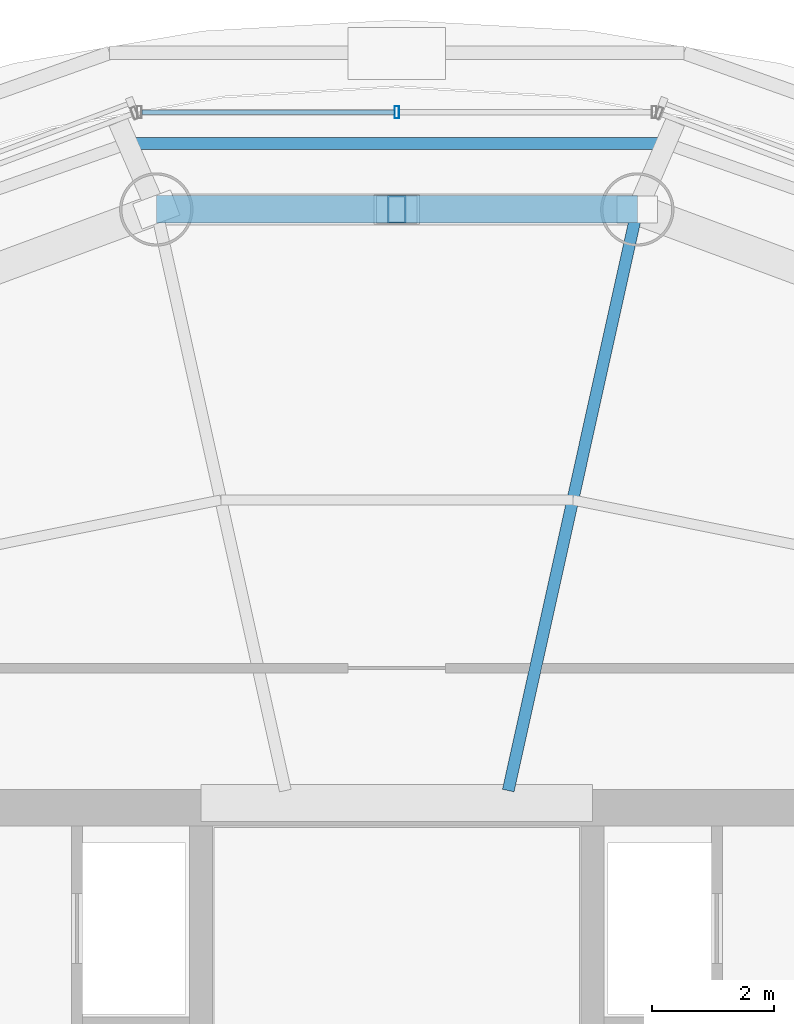
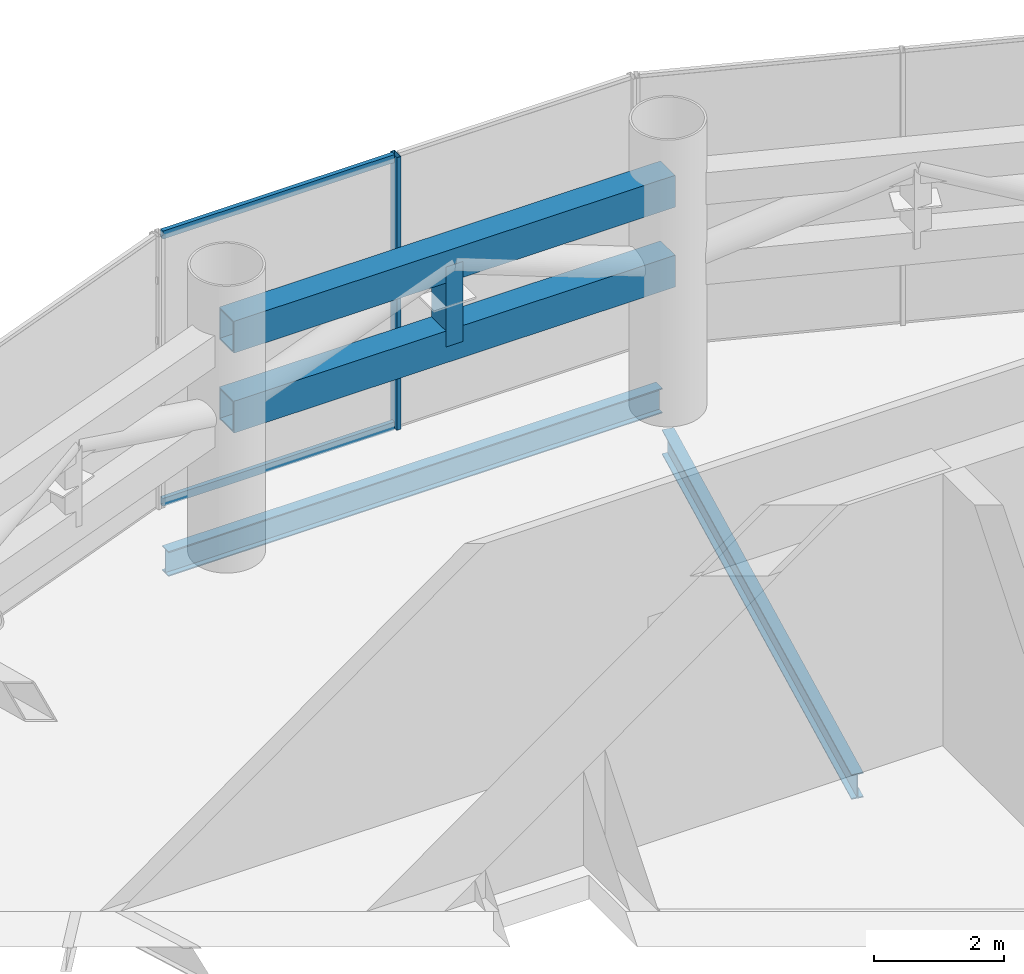
# One storey, part 16 of 25: 6 members, 2 beams, 1 element without a shape of its own.
"""IFC4 building model written with IfcOpenShell, lengths in metres."""

from ifc_helpers import new_model, si_unit, direction, frame, origin, origin_2d, place, context, subcontext, project, spatial, hollow_rectangle, i_section, extrude, source, transform, mapped, material, material_profile, profile_set, type_object, element, aggregate, save


model = new_model("IFC4")

# Units and contexts
model_context = context("Model", 3, precision=1e-05, world=origin(), true_north=direction((-0.2419218956, 0.970295726276)))
body_context = subcontext(model_context, "Body", "Model", "MODEL_VIEW")
ifc_project = project(units=[si_unit("LENGTHUNIT", "METRE"), si_unit("AREAUNIT", "SQUARE_METRE"), si_unit("VOLUMEUNIT", "CUBIC_METRE"), si_unit("PLANEANGLEUNIT", "RADIAN"), si_unit("MASSUNIT", "GRAM", prefix="KILO")], contexts=[model_context])

# Site, building, storey
site_placement = place(None, origin())
site = spatial("IfcSite", under=ifc_project, at=site_placement, CompositionType="ELEMENT")
building_placement = place(site_placement, origin())
building = spatial("IfcBuilding", under=site, at=building_placement, Name="Cobrevalo Terracotta Tower", CompositionType="ELEMENT")
storey_placement = place(building_placement, frame((0.0, 0.0, 185.800048828125)))
storey = spatial("IfcBuildingStorey", under=building, at=storey_placement, Name="L49", CompositionType="ELEMENT", Elevation=185.800048828125)

# Beams
ifc_material_1 = material(Name="Steel S355", Category="steel")
ifc_material_profile_1 = material_profile(ifc_material_1, i_section(OverallWidth=0.194091796875, OverallDepth=0.468994140625, WebThickness=0.011474609375, FlangeThickness=0.0205078125, at=origin_2d()), Name="W 460x106")
ifc_profile_set_1 = profile_set([ifc_material_profile_1], Name="Steel S355")
beam_type_1 = type_object("IfcBeamType", Name="Structural Beam W 460x106 (Steel S355)", PredefinedType="BEAM", material=ifc_profile_set_1)
beam_1_placement = place(storey_placement, frame((41.93115234375, 44.503173828125, -0.6845703125), z_axis=(-0.216773700992, -0.976221881827, 0.0), x_axis=(0.976221881827, -0.216773700992, 0.0)))
element("IfcBeam", 1, at=beam_1_placement, inside=storey, type_object=beam_type_1, Name="L49 radial floor girder 04", PredefinedType="BEAM", context=body_context, shape_type="SweptSolid", body=[
    extrude(i_section(OverallWidth=0.194091796875, OverallDepth=0.468994140625, WebThickness=0.011474609375, FlangeThickness=0.0205078125, at=origin_2d()), origin(), (0.0, 0.0, 1.0), 9.729736328125),
])
ifc_material_profile_2 = material_profile(ifc_material_1, i_section(OverallWidth=0.194091796875, OverallDepth=0.468994140625, WebThickness=0.011474609375, FlangeThickness=0.0205078125, at=origin_2d()), Name="W 460x106")
ifc_profile_set_2 = profile_set([ifc_material_profile_2], Name="Steel S355")
beam_type_2 = type_object("IfcBeamType", Name="Structural Spandrel W 460x106 (Steel S355)", PredefinedType="SPANDREL", material=ifc_profile_set_2)
beam_2_placement = place(storey_placement, frame((42.399169921875, 45.58203125, -0.6845703125), z_axis=(-1.0, 0.0, 0.0), x_axis=(0.0, -1.0, 0.0)))
element("IfcBeam", 2, at=beam_2_placement, inside=storey, type_object=beam_type_2, Name="L49 perimeter ring spandrel 04", PredefinedType="SPANDREL", context=body_context, shape_type="SweptSolid", body=[
    extrude(i_section(OverallWidth=0.194091796875, OverallDepth=0.468994140625, WebThickness=0.011474609375, FlangeThickness=0.0205078125, at=origin_2d()), origin(), (0.0, 0.0, 1.0), 8.79833984375),
])

# Members
ifc_material_profile_3 = material_profile(ifc_material_1, hollow_rectangle(XDim=0.300048828125, YDim=0.449951171875, WallThickness=0.02001953125, at=origin_2d()), Name="RHS 450x300x20")
ifc_profile_set_3 = profile_set([ifc_material_profile_3], Name="Steel S355")
member_type_1 = type_object("IfcMemberType", Name="Steel Post RHS 450x300x20 (Steel S355)", PredefinedType="POST", material=ifc_profile_set_3)
shared_shape_1 = source(origin(), body_context, "Body", "SweptSolid", [
    extrude(hollow_rectangle(XDim=0.300048828125, YDim=0.449951171875, WallThickness=0.02001953125, at=origin_2d()), origin(), (0.0, 0.0, 1.0), 1.505126953125),
])
member_1_placement = place(storey_placement, frame((38.0, 44.503173828125, 2.64990234375), z_axis=(0.0, 0.0, 1.0), x_axis=(1.0, 0.0, 0.0)))
element("IfcMember", 3, at=member_1_placement, inside=storey, type_object=member_type_1, Name="L49 belt truss post 04", PredefinedType="POST", context=body_context, shape_type="MappedRepresentation", body=[
    mapped(shared_shape_1, transform((0.0, 0.0, 0.0), scale=1.0)),
])
ifc_material_profile_4 = material_profile(ifc_material_1, hollow_rectangle(XDim=0.449951171875, YDim=0.60009765625, WallThickness=0.028076171875, at=origin_2d()), Name="RHS 600x450x28")
ifc_profile_set_4 = profile_set([ifc_material_profile_4], Name="Steel S355")
member_type_2 = type_object("IfcMemberType", Name="Steel Chord RHS 600x450x28 (Steel S355)", PredefinedType="CHORD", material=ifc_profile_set_4)
shared_shape_2 = source(origin(), body_context, "Body", "SweptSolid", [
    extrude(hollow_rectangle(XDim=0.449951171875, YDim=0.60009765625, WallThickness=0.028076171875, at=origin_2d()), origin(), (0.0, 0.0, 1.0), 7.8623046875),
])
for number, where, z_axis, x_axis, name in (
    (4, (41.93115234375, 44.503173828125, 2.64990234375), (-1.0, 0.0, 0.0), (0.0, -1.0, 0.0), "L49 belt truss chord 04-BC"),
    (5, (41.93115234375, 44.503173828125, 4.155029296875), (-1.0, 0.0, 0.0), (0.0, -1.0, 0.0), "L49 belt truss chord 04-TC"),
):
    element("IfcMember", number, at=place(storey_placement, frame(where, z_axis=z_axis, x_axis=x_axis)), inside=storey, type_object=member_type_2, Name=name, PredefinedType="CHORD", context=body_context, shape_type="MappedRepresentation", body=[
        mapped(shared_shape_2, transform((0.0, 0.0, 0.0), scale=1.0)),
    ])

# Curtain wall, members
ifc_material_2 = material(Name="Anodized aluminium", Category="aluminium")
curtain_wall_type = type_object("IfcCurtainWallType", Name="Belt-truss plant acoustic weather-louvre curtain wall CW-LV", PredefinedType="NOTDEFINED", material=ifc_material_2)
curtain_wall_placement = place(storey_placement, origin())
curtain_wall = element("IfcCurtainWall", 6, at=curtain_wall_placement, inside=storey, type_object=curtain_wall_type, Name="L49 curtain wall CW-LV-L49-S04", PredefinedType="NOTDEFINED")
ifc_material_profile_5 = material_profile(ifc_material_2, hollow_rectangle(XDim=0.074951171875, YDim=0.199951171875, WallThickness=0.0048828125, at=origin_2d()), Name="CWM 75x200")
ifc_profile_set_5 = profile_set([ifc_material_profile_5], Name="Anodized aluminium")
member_type_3 = type_object("IfcMemberType", Name="Lower/mid tower unitised mullion 75x200", PredefinedType="MULLION", material=ifc_profile_set_5)
shared_shape_3 = source(origin(), body_context, "Body", "SweptSolid", [
    extrude(hollow_rectangle(XDim=0.074951171875, YDim=0.199951171875, WallThickness=0.0048828125, at=origin_2d()), origin(), (0.0, 0.0, 1.0), 5.135009765625),
])
member_2_placement = place(storey_placement, frame((38.0, 46.092041015625, 0.0), z_axis=(0.0, 0.0, 1.0), x_axis=(-1.0, 0.0, 0.0)))
member_2 = element("IfcMember", 7, at=member_2_placement, type_object=member_type_3, Name="CW-LV-L49-S04 vertical mullion 02", PredefinedType="MULLION", context=body_context, shape_type="MappedRepresentation", body=[
    mapped(shared_shape_3, transform((0.0, 0.0, 0.0), scale=1.0)),
])
ifc_material_profile_6 = material_profile(ifc_material_2, hollow_rectangle(XDim=0.074951171875, YDim=0.14990234375, WallThickness=0.00439453125, at=origin_2d()), Name="CWT 75x150")
ifc_profile_set_6 = profile_set([ifc_material_profile_6], Name="Anodized aluminium")
member_type_4 = type_object("IfcMemberType", Name="Tower unitised aluminium transom 75x150", PredefinedType="USERDEFINED", material=ifc_profile_set_6)
shared_shape_4 = source(origin(), body_context, "Body", "SweptSolid", [
    extrude(hollow_rectangle(XDim=0.074951171875, YDim=0.14990234375, WallThickness=0.00439453125, at=origin_2d()), origin(), (0.0, 0.0, 1.0), 4.127197265625),
])
member_3_placement = place(storey_placement, frame((37.9599609375, 46.092041015625, 0.050048828125), z_axis=(-1.0, 0.0, 0.0), x_axis=(0.0, -1.0, 0.0)))
member_3 = element("IfcMember", 8, at=member_3_placement, type_object=member_type_4, Name="CW-LV-L49-S04 transom B02-T1", ObjectType="TRANSOM", PredefinedType="USERDEFINED", context=body_context, shape_type="MappedRepresentation", body=[
    mapped(shared_shape_4, transform((0.0, 0.0, 0.0), scale=1.0)),
])
member_4_placement = place(storey_placement, frame((37.9599609375, 46.092041015625, 5.0849609375), z_axis=(-1.0, 0.0, 0.0), x_axis=(0.0, -1.0, 0.0)))
member_4 = element("IfcMember", 9, at=member_4_placement, type_object=member_type_4, Name="CW-LV-L49-S04 transom B02-T2", ObjectType="TRANSOM", PredefinedType="USERDEFINED", context=body_context, shape_type="MappedRepresentation", body=[
    mapped(shared_shape_4, transform((0.0, 0.0, 0.0), scale=1.0)),
])
aggregate(curtain_wall, [member_2, member_3, member_4])

save(model, "model.ifc")
